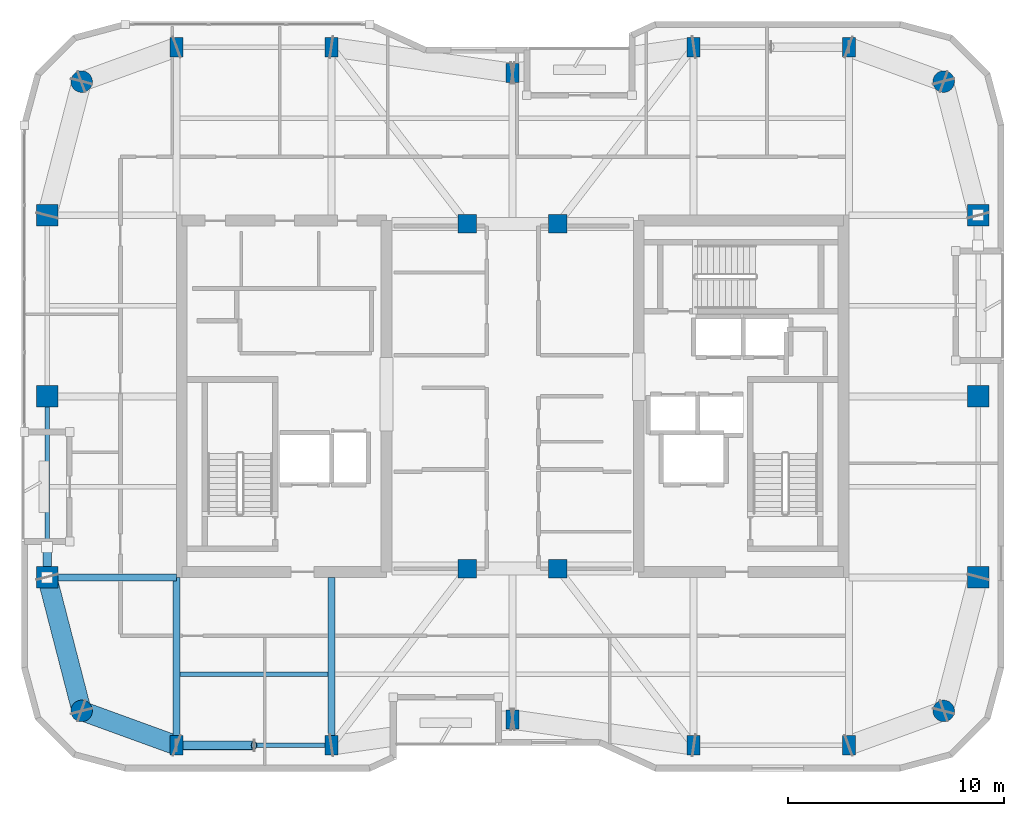
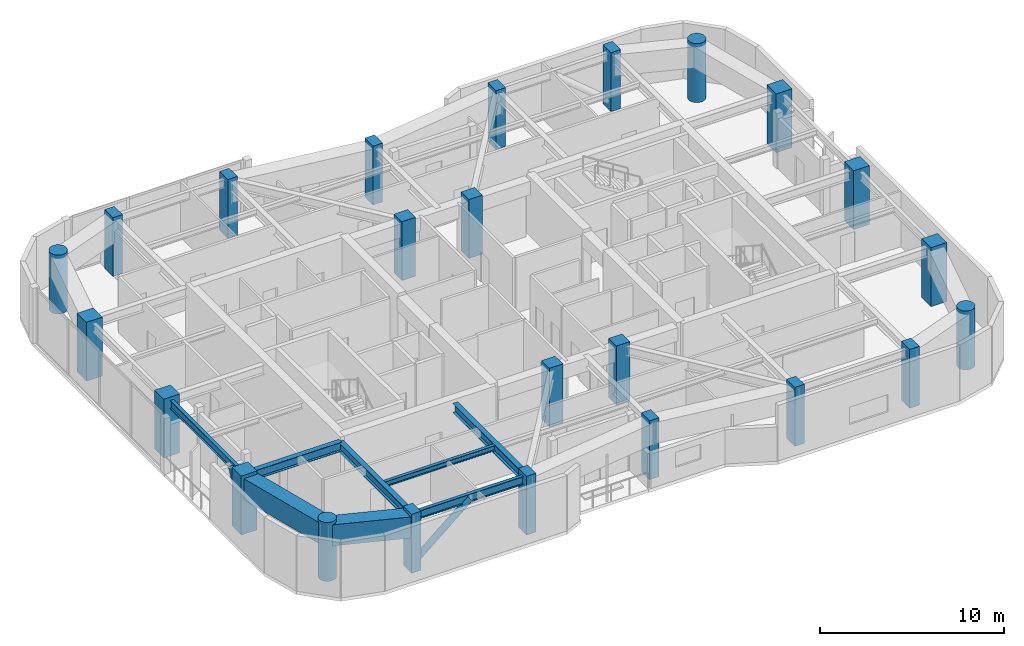
# One storey, part 1 of 15: 24 columns, 8 beams, 2 members.
"""IFC4 building model written with IfcOpenShell, lengths in metres."""

from ifc_helpers import new_model, si_unit, direction, frame, origin, origin_2d, place, context, subcontext, project, spatial, rectangle, hollow_rectangle, circle, hollow_circle, i_section, extrude, material, material_profile, profile_set, type_object, element, save


model = new_model("IFC4")

# Units and contexts
model_context = context("Model", 3, precision=1e-05, world=origin(), true_north=direction((0.0, 1.0)))
body_context = subcontext(model_context, "Body", "Model", "MODEL_VIEW")
ifc_project = project(units=[si_unit("LENGTHUNIT", "METRE"), si_unit("AREAUNIT", "SQUARE_METRE"), si_unit("VOLUMEUNIT", "CUBIC_METRE"), si_unit("PLANEANGLEUNIT", "RADIAN"), si_unit("MASSUNIT", "GRAM", prefix="KILO")], contexts=[model_context])

# Site, building, storey
site_placement = place(None, origin())
site = spatial("IfcSite", under=ifc_project, at=site_placement, CompositionType="ELEMENT")
building_placement = place(site_placement, origin())
building = spatial("IfcBuilding", under=site, at=building_placement, Name="Kiyonajd Concourse Tower", CompositionType="ELEMENT")
storey_placement = place(building_placement, frame((0.0, 0.0, 266.699951171875)))
storey = spatial("IfcBuildingStorey", under=building, at=storey_placement, Name="L67", CompositionType="ELEMENT", Elevation=266.699951171875)

# Columns
ifc_material_1 = material(Name="Concrete C60/75", Category="concrete")
ifc_material_profile_1 = material_profile(ifc_material_1, rectangle(XDim=0.60009765625, YDim=0.89990234375, at=origin_2d()), Name="RC-900x600")
ifc_profile_set_1 = profile_set([ifc_material_profile_1], Name="Concrete C60/75")
column_type_1 = type_object("IfcColumnType", Name="CL-BLADE-900", PredefinedType="COLUMN", material=ifc_profile_set_1)
for number, where, z_axis, x_axis, name in (
    (1, (32.39990234375, 19.800048828125, 0.0), (0.0, 0.0, 1.0), (1.0, 0.0, 0.0), "L67 Perimeter Bundled Tube Column"),
    (2, (32.39990234375, 52.199951171875, 0.0), (0.0, 0.0, 1.0), (1.0, 0.0, 0.0), "L67 Perimeter Bundled Tube Column"),
    (3, (39.60009765625, 19.800048828125, 0.0), (0.0, 0.0, 1.0), (1.0, 0.0, 0.0), "L67 Perimeter Bundled Tube Column"),
    (4, (39.60009765625, 52.199951171875, 0.0), (0.0, 0.0, 1.0), (1.0, 0.0, 0.0), "L67 Perimeter Bundled Tube Column"),
    (5, (48.0, 21.0, 0.0), (0.0, 0.0, 1.0), (1.0, 0.0, 0.0), "L67 Perimeter Bundled Tube Column"),
    (6, (48.0, 51.0, 0.0), (0.0, 0.0, 1.0), (1.0, 0.0, 0.0), "L67 Perimeter Bundled Tube Column"),
    (7, (56.39990234375, 19.800048828125, 0.0), (0.0, 0.0, 1.0), (1.0, 0.0, 0.0), "L67 Perimeter Bundled Tube Column"),
    (8, (56.39990234375, 52.199951171875, 0.0), (0.0, 0.0, 1.0), (1.0, 0.0, 0.0), "L67 Perimeter Bundled Tube Column"),
    (9, (63.60009765625, 19.800048828125, 0.0), (0.0, 0.0, 1.0), (1.0, 0.0, 0.0), "L67 Perimeter Bundled Tube Column"),
    (10, (63.60009765625, 52.199951171875, 0.0), (0.0, 0.0, 1.0), (1.0, 0.0, 0.0), "L67 Perimeter Bundled Tube Column"),
):
    element("IfcColumn", number, at=place(storey_placement, frame(where, z_axis=z_axis, x_axis=x_axis)), inside=storey, type_object=column_type_1, Name=name, PredefinedType="COLUMN", context=body_context, shape_type="SweptSolid", body=[
        extrude(rectangle(XDim=0.60009765625, YDim=0.89990234375, at=origin_2d()), origin(), (0.0, 0.0, 1.0), 3.900146484375),
    ])
ifc_material_profile_2 = material_profile(ifc_material_1, circle(Radius=0.5, at=origin_2d()), Name="RCC-D1000")
ifc_profile_set_2 = profile_set([ifc_material_profile_2], Name="Concrete C60/75")
column_type_2 = type_object("IfcColumnType", Name="CL-RND-1000", PredefinedType="COLUMN", material=ifc_profile_set_2)
for number, where, z_axis, x_axis, name in (
    (11, (28.0, 21.39990234375, 0.0), (0.0, 0.0, 1.0), (1.0, 0.0, 0.0), "L67 Bundled Tube Corner Column South West"),
    (12, (68.0, 21.39990234375, 0.0), (0.0, 0.0, 1.0), (1.0, 0.0, 0.0), "L67 Bundled Tube Corner Column South East"),
    (13, (68.0, 50.60009765625, 0.0), (0.0, 0.0, 1.0), (1.0, 0.0, 0.0), "L67 Bundled Tube Corner Column North East"),
    (14, (28.0, 50.60009765625, 0.0), (0.0, 0.0, 1.0), (1.0, 0.0, 0.0), "L67 Bundled Tube Corner Column North West"),
):
    element("IfcColumn", number, at=place(storey_placement, frame(where, z_axis=z_axis, x_axis=x_axis)), inside=storey, type_object=column_type_2, Name=name, PredefinedType="COLUMN", context=body_context, shape_type="SweptSolid", body=[
        extrude(circle(Radius=0.5, at=origin_2d()), origin(), (0.0, 0.0, 1.0), 3.900146484375),
    ])
ifc_material_profile_3 = material_profile(ifc_material_1, rectangle(XDim=1.0, YDim=1.0, at=origin_2d()), Name="RC-1000x1000")
ifc_profile_set_3 = profile_set([ifc_material_profile_3], Name="Concrete C60/75")
column_type_3 = type_object("IfcColumnType", Name="CL-TUBE-1000", PredefinedType="COLUMN", material=ifc_profile_set_3)
for number, where, z_axis, x_axis, name in (
    (15, (26.39990234375, 27.60009765625, 0.0), (0.0, 0.0, 1.0), (1.0, 0.0, 0.0), "L67 Perimeter Bundled Tube Column"),
    (16, (69.60009765625, 27.60009765625, 0.0), (0.0, 0.0, 1.0), (1.0, 0.0, 0.0), "L67 Perimeter Bundled Tube Column"),
    (17, (26.39990234375, 36.0, 0.0), (0.0, 0.0, 1.0), (1.0, 0.0, 0.0), "L67 Perimeter Bundled Tube Column"),
    (18, (69.60009765625, 36.0, 0.0), (0.0, 0.0, 1.0), (1.0, 0.0, 0.0), "L67 Perimeter Bundled Tube Column"),
    (19, (26.39990234375, 44.39990234375, 0.0), (0.0, 0.0, 1.0), (1.0, 0.0, 0.0), "L67 Perimeter Bundled Tube Column"),
    (20, (69.60009765625, 44.39990234375, 0.0), (0.0, 0.0, 1.0), (1.0, 0.0, 0.0), "L67 Perimeter Bundled Tube Column"),
):
    element("IfcColumn", number, at=place(storey_placement, frame(where, z_axis=z_axis, x_axis=x_axis)), inside=storey, type_object=column_type_3, Name=name, PredefinedType="COLUMN", context=body_context, shape_type="SweptSolid", body=[
        extrude(rectangle(XDim=1.0, YDim=1.0, at=origin_2d()), origin(), (0.0, 0.0, 1.0), 3.900146484375),
    ])
ifc_material_profile_4 = material_profile(ifc_material_1, rectangle(XDim=0.85009765625, YDim=0.85009765625, at=origin_2d()), Name="RC-850x850")
ifc_profile_set_4 = profile_set([ifc_material_profile_4], Name="Concrete C60/75")
column_type_4 = type_object("IfcColumnType", Name="CL-TUBE-850", PredefinedType="COLUMN", material=ifc_profile_set_4)
for number, where, z_axis, x_axis, name in (
    (21, (45.89990234375, 28.0, 0.0), (0.0, 0.0, 1.0), (1.0, 0.0, 0.0), "L67 Core Tie Column South West"),
    (22, (50.10009765625, 28.0, 0.0), (0.0, 0.0, 1.0), (1.0, 0.0, 0.0), "L67 Core Tie Column South East"),
    (23, (45.89990234375, 44.0, 0.0), (0.0, 0.0, 1.0), (1.0, 0.0, 0.0), "L67 Core Tie Column North West"),
    (24, (50.10009765625, 44.0, 0.0), (0.0, 0.0, 1.0), (1.0, 0.0, 0.0), "L67 Core Tie Column North East"),
):
    element("IfcColumn", number, at=place(storey_placement, frame(where, z_axis=z_axis, x_axis=x_axis)), inside=storey, type_object=column_type_4, Name=name, PredefinedType="COLUMN", context=body_context, shape_type="SweptSolid", body=[
        extrude(rectangle(XDim=0.85009765625, YDim=0.85009765625, at=origin_2d()), origin(), (0.0, 0.0, 1.0), 3.900146484375),
    ])

# Beams
ifc_material_2 = material(Name="Steel ASTM A992 Grade 50", Category="steel")
ifc_material_profile_5 = material_profile(ifc_material_2, i_section(OverallWidth=0.205078125, OverallDepth=0.35400390625, WebThickness=0.009521484375, FlangeThickness=0.016845703125, at=origin_2d()), Name="W360X79")
ifc_profile_set_5 = profile_set([ifc_material_profile_5], Name="Steel ASTM A992 Grade 50")
beam_type_1 = type_object("IfcBeamType", Name="BM-JST-360", PredefinedType="JOIST", material=ifc_profile_set_5)
beam_1_placement = place(storey_placement, frame((32.56201171875, 23.10009765625, 3.5029296875), z_axis=(1.0, 0.0, 0.0), x_axis=(0.0, 1.0, 0.0)))
element("IfcBeam", 25, at=beam_1_placement, inside=storey, type_object=beam_type_1, Name="L67 Secondary Floor Joist", PredefinedType="JOIST", context=body_context, shape_type="SweptSolid", body=[
    extrude(i_section(OverallWidth=0.205078125, OverallDepth=0.35400390625, WebThickness=0.009521484375, FlangeThickness=0.016845703125, at=origin_2d()), origin(), (0.0, 0.0, 1.0), 6.8759765625),
])
ifc_material_profile_6 = material_profile(ifc_material_2, i_section(OverallWidth=0.2109375, OverallDepth=0.5390625, WebThickness=0.01171875, FlangeThickness=0.018798828125, at=origin_2d()), Name="W530X109")
ifc_profile_set_6 = profile_set([ifc_material_profile_6], Name="Steel ASTM A992 Grade 50")
beam_type_2 = type_object("IfcBeamType", Name="BM-SPAN-530B", PredefinedType="SPANDREL", material=ifc_profile_set_6)
beam_2_placement = place(storey_placement, frame((32.39990234375, 19.800048828125, 3.41064453125), z_axis=(1.0, 0.0, 0.0), x_axis=(0.0, 1.0, 0.0)))
element("IfcBeam", 26, at=beam_2_placement, inside=storey, type_object=beam_type_2, Name="L67 Perimeter Bundled Tube Spandrel", PredefinedType="SPANDREL", context=body_context, shape_type="SweptSolid", body=[
    extrude(i_section(OverallWidth=0.2109375, OverallDepth=0.5390625, WebThickness=0.01171875, FlangeThickness=0.018798828125, at=origin_2d()), origin(), (0.0, 0.0, 1.0), 7.2001953125),
])
beam_3_placement = place(storey_placement, frame((26.39990234375, 36.0, 3.41064453125), z_axis=(0.0, -1.0, 0.0), x_axis=(1.0, 0.0, 0.0)))
element("IfcBeam", 27, at=beam_3_placement, inside=storey, type_object=beam_type_2, Name="L67 Perimeter Bundled Tube Spandrel", PredefinedType="SPANDREL", context=body_context, shape_type="SweptSolid", body=[
    extrude(i_section(OverallWidth=0.2109375, OverallDepth=0.5390625, WebThickness=0.01171875, FlangeThickness=0.018798828125, at=origin_2d()), origin(), (0.0, 0.0, 1.0), 8.39990234375),
])
ifc_material_profile_7 = material_profile(ifc_material_2, i_section(OverallWidth=0.323974609375, OverallDepth=0.611083984375, WebThickness=0.0126953125, FlangeThickness=0.01904296875, at=origin_2d()), Name="W610X155")
ifc_profile_set_7 = profile_set([ifc_material_profile_7], Name="Steel ASTM A992 Grade 50")
beam_type_3 = type_object("IfcBeamType", Name="BM-TWR-610B", PredefinedType="BEAM", material=ifc_profile_set_7)
for number, where, z_axis, x_axis, name in (
    (28, (32.39990234375, 19.800048828125, 3.37451171875), (0.0, 1.0, 0.0), (-1.0, 0.0, 0.0), "L67 South Lease Girder"),
    (29, (39.60009765625, 19.800048828125, 3.37451171875), (0.0, 1.0, 0.0), (-1.0, 0.0, 0.0), "L67 South Lease Girder"),
):
    element("IfcBeam", number, at=place(storey_placement, frame(where, z_axis=z_axis, x_axis=x_axis)), inside=storey, type_object=beam_type_3, Name=name, PredefinedType="BEAM", context=body_context, shape_type="SweptSolid", body=[
        extrude(i_section(OverallWidth=0.323974609375, OverallDepth=0.611083984375, WebThickness=0.0126953125, FlangeThickness=0.01904296875, at=origin_2d()), origin(), (0.0, 0.0, 1.0), 7.800048828125),
    ])
beam_4_placement = place(storey_placement, frame((26.39990234375, 27.60009765625, 3.37451171875), z_axis=(1.0, 0.0, 0.0), x_axis=(0.0, 1.0, 0.0)))
element("IfcBeam", 30, at=beam_4_placement, inside=storey, type_object=beam_type_3, Name="L67 West Lease Girder", PredefinedType="BEAM", context=body_context, shape_type="SweptSolid", body=[
    extrude(i_section(OverallWidth=0.323974609375, OverallDepth=0.611083984375, WebThickness=0.0126953125, FlangeThickness=0.01904296875, at=origin_2d()), origin(), (0.0, 0.0, 1.0), 6.0),
])
ifc_material_3 = material(Name="Steel ASTM A572 Grade 50", Category="steel")
ifc_material_profile_8 = material_profile(ifc_material_3, hollow_rectangle(XDim=0.89990234375, YDim=1.39990234375, WallThickness=0.070068359375, at=origin_2d()), Name="BOX-1400x900x70")
ifc_profile_set_8 = profile_set([ifc_material_profile_8], Name="Steel ASTM A572 Grade 50")
beam_type_4 = type_object("IfcBeamType", Name="BM-XFER-1400", PredefinedType="BEAM", material=ifc_profile_set_8)
beam_5_placement = place(storey_placement, frame((26.39990234375, 27.60009765625, 2.97998046875), z_axis=(0.249884937687, -0.968275538221, 0.0), x_axis=(0.968275538221, 0.249884937687, 0.0)))
element("IfcBeam", 31, at=beam_5_placement, inside=storey, type_object=beam_type_4, Name="L67 Perimeter Bundled Tube Spandrel", PredefinedType="BEAM", context=body_context, shape_type="SweptSolid", body=[
    extrude(hollow_rectangle(XDim=0.89990234375, YDim=1.39990234375, WallThickness=0.070068359375, at=origin_2d()), origin(), (0.0, 0.0, 1.0), 6.4033203125),
])
beam_6_placement = place(storey_placement, frame((28.0, 21.39990234375, 2.97998046875), z_axis=(0.939801036019, -0.341722127901, 0.0), x_axis=(0.341722127901, 0.939801036019, 0.0)))
element("IfcBeam", 32, at=beam_6_placement, inside=storey, type_object=beam_type_4, Name="L67 Perimeter Bundled Tube Spandrel", PredefinedType="BEAM", context=body_context, shape_type="SweptSolid", body=[
    extrude(hollow_rectangle(XDim=0.89990234375, YDim=1.39990234375, WallThickness=0.070068359375, at=origin_2d()), origin(), (0.0, 0.0, 1.0), 4.681640625),
])

# Members
ifc_material_4 = material(Name="Steel ASTM A500 Grade C", Category="steel")
ifc_material_profile_9 = material_profile(ifc_material_4, hollow_circle(Radius=0.202880859375, WallThickness=0.01904296875, at=origin_2d()), Name="CHS-406x19")
ifc_profile_set_9 = profile_set([ifc_material_profile_9], Name="Steel ASTM A500 Grade C")
member_type = type_object("IfcMemberType", Name="MB-PB-HIGH", PredefinedType="BRACE", material=ifc_profile_set_9)
member_1_placement = place(storey_placement, frame((32.39990234375, 19.800048828125, 0.300048828125), z_axis=(0.765082043761, 0.0, 0.643932811957), x_axis=(0.0, 1.0, 0.0)))
element("IfcMember", 33, at=member_1_placement, inside=storey, type_object=member_type, Name="L67 Upper Zone Hollow Tube Brace PBS", PredefinedType="BRACE", context=body_context, shape_type="SweptSolid", body=[
    extrude(hollow_circle(Radius=0.202880859375, WallThickness=0.01904296875, at=origin_2d()), origin(), (0.0, 0.0, 1.0), 4.70556640625),
])
member_2_placement = place(storey_placement, frame((26.39990234375, 27.60009765625, 0.300048828125), z_axis=(0.0, 0.419410666774, 0.907796614114), x_axis=(-1.0, 0.0, 0.0)))
element("IfcMember", 34, at=member_2_placement, inside=storey, type_object=member_type, Name="L67 Upper Zone Hollow Tube Brace PBW", PredefinedType="BRACE", context=body_context, shape_type="SweptSolid", body=[
    extrude(hollow_circle(Radius=0.202880859375, WallThickness=0.01904296875, at=origin_2d()), origin(), (0.0, 0.0, 1.0), 3.337890625),
])

save(model, "model.ifc")
